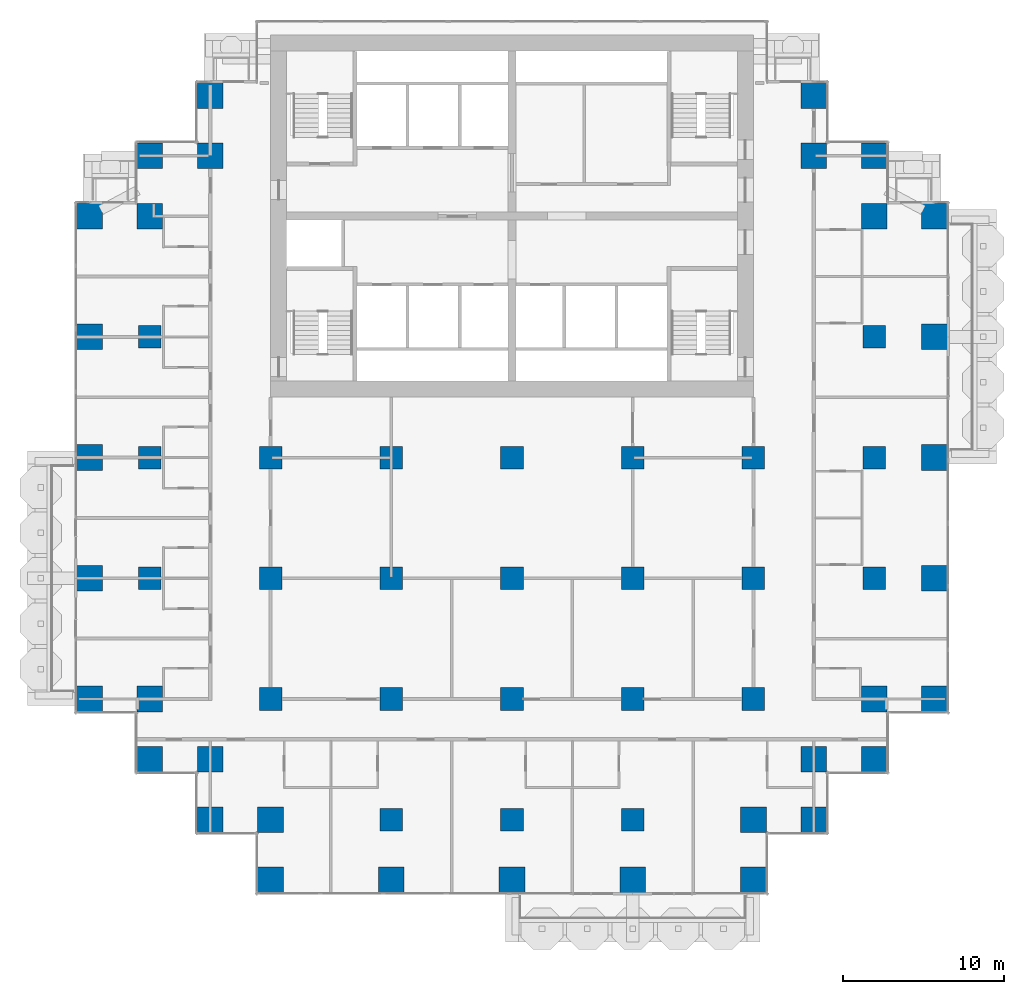
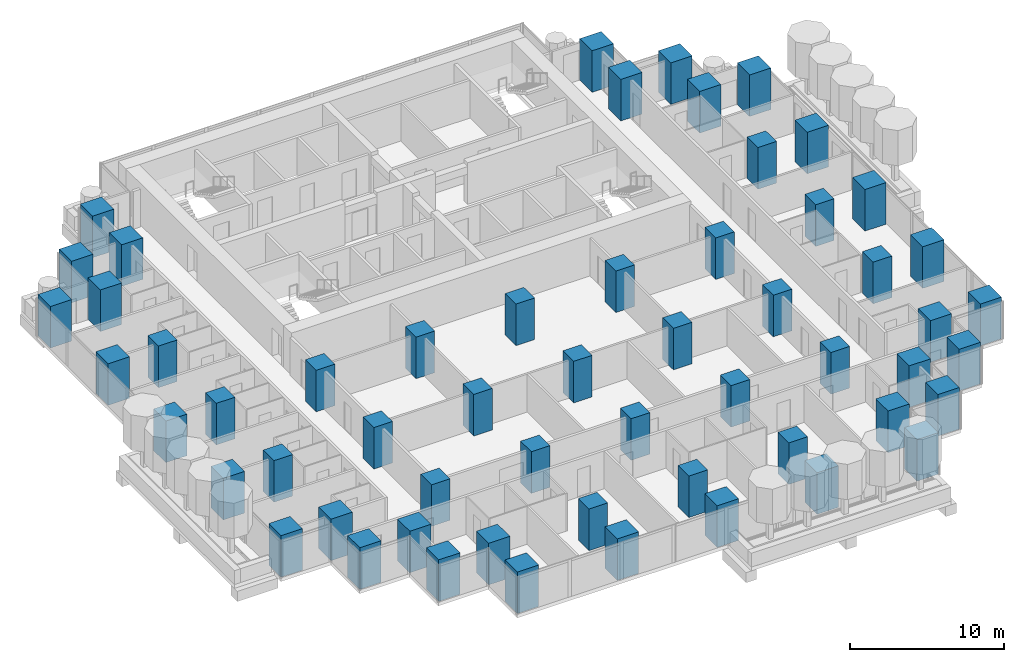
# One storey, part 1 of 18: 57 columns.
"""IFC4 building model written with IfcOpenShell, lengths in metres."""

import ifcopenshell
import ifcopenshell.guid

model = None  # the IFC model being written
_history = None  # IfcOwnerHistory: only IFC2X3 demands one
_inside = {}  # id of a spatial element -> (the spatial element, [elements in it])
_under = {}  # id of a project, library or spatial element -> (it, [spatial elements below it])
_declared = {}  # id of a project -> (the project, [libraries it declares])
_typed = {}  # id of a type object -> (the type object, [elements of that type])
_made_of = {}  # id of a material, layer set ... -> (it, [elements and type objects made of it])


def new_model(schema):
    """Start an empty IFC model of exactly this schema.

    Asked for "IFC4X3", IfcOpenShell would pick the latest addendum, in which some entities
    have other attributes; the version numbers below select the first issue.
    IFC2X3 requires an IfcOwnerHistory on every rooted entity: one is made here for all.
    """
    global model, _history
    if schema == "IFC4X3":
        model = ifcopenshell.file(schema_version=(4, 3, 0, 0))
    else:
        model = ifcopenshell.file(schema=schema)
    _inside.clear()
    _under.clear()
    _declared.clear()
    _typed.clear()
    _made_of.clear()
    _history = None
    if model.schema == "IFC2X3":
        org = make("IfcOrganization", Name="unknown")
        user = make(
            "IfcPersonAndOrganization",
            ThePerson=make("IfcPerson", FamilyName="unknown"),
            TheOrganization=org,
        )
        app = make(
            "IfcApplication",
            ApplicationDeveloper=org,
            Version="unknown",
            ApplicationFullName="unknown",
            ApplicationIdentifier="unknown",
        )
        _history = make(
            "IfcOwnerHistory",
            OwningUser=user,
            OwningApplication=app,
            ChangeAction="ADDED",
            CreationDate=0,
        )
    return model


def make(cls, **values):
    """One entity of the class cls with the attributes given. An attribute that is None is left unset."""
    return model.create_entity(
        cls, **{name: value for name, value in values.items() if value is not None}
    )


def rooted(cls, **values):
    """An entity with a GlobalId (a new one), such as an element, a storey or a relation."""
    return make(cls, GlobalId=ifcopenshell.guid.new(), OwnerHistory=_history, **values)


def si_unit(unit_type, name, prefix=None):
    """IfcSIUnit, for example si_unit("LENGTHUNIT", "METRE", prefix="MILLI")."""
    return make("IfcSIUnit", UnitType=unit_type, Prefix=prefix, Name=name)


def assignment(units):
    """IfcUnitAssignment: the units of a project."""
    return None if units is None else make("IfcUnitAssignment", Units=units)


def point(xyz):
    """IfcCartesianPoint."""
    return None if xyz is None else make("IfcCartesianPoint", Coordinates=xyz)


def direction(xyz):
    """IfcDirection."""
    return None if xyz is None else make("IfcDirection", DirectionRatios=xyz)


def frame(location, z_axis=None, x_axis=None):
    """IfcAxis2Placement3D, a coordinate frame: its origin and axes. An axis left out is left unset."""
    return make(
        "IfcAxis2Placement3D",
        Location=point(location),
        Axis=direction(z_axis),
        RefDirection=direction(x_axis),
    )


def frame_2d(location, x_axis=None):
    """IfcAxis2Placement2D, a coordinate frame in the plane: its origin and x axis."""
    return make(
        "IfcAxis2Placement2D", Location=point(location), RefDirection=direction(x_axis)
    )


def origin():
    """The frame at (0, 0, 0) with its axes left unset."""
    return frame((0.0, 0.0, 0.0))


def origin_2d():
    """The frame at (0, 0) in the plane with its x axis left unset."""
    return frame_2d((0.0, 0.0))


def place(relative_to, where):
    """IfcLocalPlacement: puts the frame where relative to a parent placement (None: the world)."""
    return make(
        "IfcLocalPlacement", PlacementRelTo=relative_to, RelativePlacement=where
    )


def context(
    kind, dimensions, precision=None, world=None, true_north=None, identifier=None
):
    """IfcGeometricRepresentationContext, for example the 3D "Model" context."""
    return make(
        "IfcGeometricRepresentationContext",
        ContextIdentifier=identifier,
        ContextType=kind,
        CoordinateSpaceDimension=dimensions,
        Precision=precision,
        WorldCoordinateSystem=world,
        TrueNorth=true_north,
    )


def subcontext(parent, identifier, kind, view, scale=None):
    """IfcGeometricRepresentationSubContext, for example "Body" below "Model"."""
    return make(
        "IfcGeometricRepresentationSubContext",
        ContextIdentifier=identifier,
        ContextType=kind,
        ParentContext=parent,
        TargetScale=scale,
        TargetView=view,
    )


def project(units=None, contexts=None):
    """IfcProject with its units and contexts."""
    return rooted(
        "IfcProject",
        Name="project",
        RepresentationContexts=contexts,
        UnitsInContext=assignment(units),
    )


def spatial(cls, under=None, at=None, **own):
    """A site, building, storey or space (cls), placed at a placement, below another one or the project."""
    s = rooted(cls, ObjectPlacement=at, **own)
    if under is not None:
        _under.setdefault(under.id(), (under, []))[1].append(s)
    return s


def profile(cls, at=None, kind="AREA", **sizes):
    """A parametric profile (cls). Its sizes go by their IFC names, for example OverallWidth=200.0."""
    return make(cls, ProfileType=kind, Position=at, **sizes)


def rectangle(**sizes):
    """IfcRectangleProfileDef."""
    return profile("IfcRectangleProfileDef", **sizes)


def extrude(swept, where, along, depth):
    """IfcExtrudedAreaSolid: the profile swept, set in the frame where, extruded along a direction by depth."""
    return make(
        "IfcExtrudedAreaSolid",
        SweptArea=swept,
        Position=where,
        ExtrudedDirection=direction(along),
        Depth=depth,
    )


def shape(context_of_items, identifier, shape_type, items):
    """IfcShapeRepresentation: the items that make up one representation, for example the "Body"."""
    return make(
        "IfcShapeRepresentation",
        ContextOfItems=context_of_items,
        RepresentationIdentifier=identifier,
        RepresentationType=shape_type,
        Items=items,
    )


def material(Name=None, Category=None):
    """IfcMaterial."""
    return make("IfcMaterial", Name=Name, Category=Category)


def material_profile(
    of_material, cross_section, Name=None, Category=None, Priority=None
):
    """IfcMaterialProfile: a cross section and its material."""
    return make(
        "IfcMaterialProfile",
        Name=Name,
        Material=of_material,
        Profile=cross_section,
        Priority=Priority,
        Category=Category,
    )


def profile_set(profiles, Name=None, composite=None):
    """IfcMaterialProfileSet."""
    return make(
        "IfcMaterialProfileSet",
        Name=Name,
        MaterialProfiles=profiles,
        CompositeProfile=composite,
    )


def made_of(thing, what):
    """Note that an element or type object is made of a material, layer set ...; save() writes the relation."""
    if what is not None:
        _made_of.setdefault(what.id(), (what, []))[1].append(thing)
    return thing


def type_object(cls, material=None, **own):
    """A type object (cls), such as IfcWallType, which elements share."""
    return made_of(rooted(cls, **own), material)


def element(
    cls,
    number,
    at=None,
    inside=None,
    cuts=None,
    type_object=None,
    material=None,
    context=None,
    identifier="Body",
    shape_type=None,
    held_by="IfcProductDefinitionShape",
    body=None,
    shapes=None,
    **own,
):
    """One element of the class cls, such as IfcWall. Its Tag is "e" and its number.

    at: its placement. inside: the storey or other place that contains it. cuts: it is an
    opening in that element (IfcRelVoidsElement). A single representation is given by context,
    identifier, shape_type and body (its items); several are given by shapes. held_by: the class
    of the entity that holds the representations. save() writes the other relations.
    """
    e = rooted(cls, Tag="e%d" % number, ObjectPlacement=at, **own)
    if body is not None:
        shapes = [shape(context, identifier, shape_type, body)]
    if shapes is not None:
        e.Representation = make(held_by, Representations=shapes)
    if inside is not None:
        _inside.setdefault(inside.id(), (inside, []))[1].append(e)
    if cuts is not None:
        rooted(
            "IfcRelVoidsElement", RelatingBuildingElement=cuts, RelatedOpeningElement=e
        )
    if type_object is not None:
        _typed.setdefault(type_object.id(), (type_object, []))[1].append(e)
    return made_of(e, material)


def aggregate(whole, parts):
    """IfcRelAggregates: a whole, such as a stair, and the parts it consists of."""
    return rooted("IfcRelAggregates", RelatingObject=whole, RelatedObjects=parts)


def save(model, path):
    """Write the relations noted so far, then the file.

    IfcRelAggregates (storeys below a building ...), IfcRelContainedInSpatialStructure (elements
    in a storey), IfcRelDefinesByType, IfcRelAssociatesMaterial and IfcRelDeclares: one each for
    every whole, place, type object, material and project.
    """
    for whole, parts in _under.values():
        aggregate(whole, parts)
    for where, things in _inside.values():
        rooted(
            "IfcRelContainedInSpatialStructure",
            RelatedElements=things,
            RelatingStructure=where,
        )
    for kind, things in _typed.values():
        rooted("IfcRelDefinesByType", RelatedObjects=things, RelatingType=kind)
    for what, things in _made_of.values():
        rooted("IfcRelAssociatesMaterial", RelatedObjects=things, RelatingMaterial=what)
    for by, libraries in _declared.values():
        rooted("IfcRelDeclares", RelatingContext=by, RelatedDefinitions=libraries)
    model.write(path)


model = new_model("IFC4")

# Units and contexts
model_context = context("Model", 3, precision=1e-05, world=origin(), true_north=direction((0.0, 1.0)))
body_context = subcontext(model_context, "Body", "Model", "MODEL_VIEW")
ifc_project = project(units=[si_unit("LENGTHUNIT", "METRE"), si_unit("AREAUNIT", "SQUARE_METRE"), si_unit("VOLUMEUNIT", "CUBIC_METRE"), si_unit("PLANEANGLEUNIT", "RADIAN"), si_unit("MASSUNIT", "GRAM", prefix="KILO")], contexts=[model_context])

# Site, building, storey
site_placement = place(None, origin())
site = spatial("IfcSite", under=ifc_project, at=site_placement, CompositionType="ELEMENT")
building_placement = place(site_placement, origin())
building = spatial("IfcBuilding", under=site, at=building_placement, Name="Pilkhan Gate Tower", CompositionType="ELEMENT")
storey_placement = place(building_placement, frame((0.0, 0.0, 52.699951171875)))
storey = spatial("IfcBuildingStorey", under=building, at=storey_placement, Name="L10", CompositionType="ELEMENT", Elevation=52.699951171875)

# Columns
ifc_material = material(Name="Concrete C70/85", Category="concrete")
ifc_material_profile_1 = material_profile(ifc_material, rectangle(XDim=1.39990234375, YDim=1.39990234375, at=origin_2d()), Name="RC 1400x1400")
ifc_profile_set_1 = profile_set([ifc_material_profile_1], Name="Concrete C70/85")
column_type_1 = type_object("IfcColumnType", Name="Column C140 RC 1400x1400 C70/85", PredefinedType="COLUMN", material=ifc_profile_set_1)
for number, where, z_axis, x_axis, name in (
    (1, (52.5, 60.0, 0.0), (0.0, 0.0, 1.0), (1.0, 0.0, 0.0), "Column 5/F L10"),
    (2, (52.5, 67.5, 0.0), (0.0, 0.0, 1.0), (1.0, 0.0, 0.0), "Column 5/H L10"),
    (3, (52.5, 75.0, 0.0), (0.0, 0.0, 1.0), (1.0, 0.0, 0.0), "Column 5/K L10"),
    (4, (60.0, 52.5, 0.0), (0.0, 0.0, 1.0), (1.0, 0.0, 0.0), "Column 7/D L10"),
    (5, (60.0, 60.0, 0.0), (0.0, 0.0, 1.0), (1.0, 0.0, 0.0), "Column 7/F L10"),
    (6, (60.0, 67.5, 0.0), (0.0, 0.0, 1.0), (1.0, 0.0, 0.0), "Column 7/H L10"),
    (7, (67.5, 45.0, 0.0), (0.0, 0.0, 1.0), (1.0, 0.0, 0.0), "Column 9/B L10"),
    (8, (67.5, 52.5, 0.0), (0.0, 0.0, 1.0), (1.0, 0.0, 0.0), "Column 9/D L10"),
    (9, (67.5, 60.0, 0.0), (0.0, 0.0, 1.0), (1.0, 0.0, 0.0), "Column 9/F L10"),
    (10, (67.5, 67.5, 0.0), (0.0, 0.0, 1.0), (1.0, 0.0, 0.0), "Column 9/H L10"),
    (11, (75.0, 45.0, 0.0), (0.0, 0.0, 1.0), (1.0, 0.0, 0.0), "Column 11/B L10"),
    (12, (75.0, 52.5, 0.0), (0.0, 0.0, 1.0), (1.0, 0.0, 0.0), "Column 11/D L10"),
    (13, (75.0, 60.0, 0.0), (0.0, 0.0, 1.0), (1.0, 0.0, 0.0), "Column 11/F L10"),
    (14, (75.0, 67.5, 0.0), (0.0, 0.0, 1.0), (1.0, 0.0, 0.0), "Column 11/H L10"),
    (15, (82.5, 45.0, 0.0), (0.0, 0.0, 1.0), (1.0, 0.0, 0.0), "Column 13/B L10"),
    (16, (82.5, 52.5, 0.0), (0.0, 0.0, 1.0), (1.0, 0.0, 0.0), "Column 13/D L10"),
    (17, (82.5, 60.0, 0.0), (0.0, 0.0, 1.0), (1.0, 0.0, 0.0), "Column 13/F L10"),
    (18, (82.5, 67.5, 0.0), (0.0, 0.0, 1.0), (1.0, 0.0, 0.0), "Column 13/H L10"),
    (19, (90.0, 52.5, 0.0), (0.0, 0.0, 1.0), (1.0, 0.0, 0.0), "Column 15/D L10"),
    (20, (90.0, 60.0, 0.0), (0.0, 0.0, 1.0), (1.0, 0.0, 0.0), "Column 15/F L10"),
    (21, (90.0, 67.5, 0.0), (0.0, 0.0, 1.0), (1.0, 0.0, 0.0), "Column 15/H L10"),
    (22, (97.5, 60.0, 0.0), (0.0, 0.0, 1.0), (1.0, 0.0, 0.0), "Column 17/F L10"),
    (23, (97.5, 67.5, 0.0), (0.0, 0.0, 1.0), (1.0, 0.0, 0.0), "Column 17/H L10"),
    (24, (97.5, 75.0, 0.0), (0.0, 0.0, 1.0), (1.0, 0.0, 0.0), "Column 17/K L10"),
):
    element("IfcColumn", number, at=place(storey_placement, frame(where, z_axis=z_axis, x_axis=x_axis)), inside=storey, type_object=column_type_1, Name=name, PredefinedType="COLUMN", context=body_context, shape_type="SweptSolid", body=[
        extrude(rectangle(XDim=1.39990234375, YDim=1.39990234375, at=origin_2d()), origin(), (0.0, 0.0, 1.0), 3.300048828125),
    ])
ifc_material_profile_2 = material_profile(ifc_material, rectangle(XDim=1.60009765625, YDim=1.60009765625, at=origin_2d()), Name="RC 1600x1600")
ifc_profile_set_2 = profile_set([ifc_material_profile_2], Name="Concrete C70/85")
column_type_2 = type_object("IfcColumnType", Name="Column C160 RC 1600x1600 C70/85", PredefinedType="COLUMN", material=ifc_profile_set_2)
for number, where, z_axis, x_axis, name in (
    (25, (48.75, 52.5, 0.0), (0.0, 0.0, 1.0), (1.0, 0.0, 0.0), "Column 4/D L10"),
    (26, (48.75, 60.0, 0.0), (0.0, 0.0, 1.0), (1.0, 0.0, 0.0), "Column 4/F L10"),
    (27, (48.75, 67.5, 0.0), (0.0, 0.0, 1.0), (1.0, 0.0, 0.0), "Column 4/H L10"),
    (28, (48.75, 75.0, 0.0), (0.0, 0.0, 1.0), (1.0, 0.0, 0.0), "Column 4/K L10"),
    (29, (48.75, 82.5, 0.0), (0.0, 0.0, 1.0), (1.0, 0.0, 0.0), "Column 4/M L10"),
    (30, (52.5, 48.75, 0.0), (0.0, 0.0, 1.0), (1.0, 0.0, 0.0), "Column 5/C L10"),
    (31, (52.5, 52.5, 0.0), (0.0, 0.0, 1.0), (1.0, 0.0, 0.0), "Column 5/D L10"),
    (32, (52.5, 82.5, 0.0), (0.0, 0.0, 1.0), (1.0, 0.0, 0.0), "Column 5/M L10"),
    (33, (52.5, 86.25, 0.0), (0.0, 0.0, 1.0), (1.0, 0.0, 0.0), "Column 5/N L10"),
    (34, (56.25, 45.0, 0.0), (0.0, 0.0, 1.0), (1.0, 0.0, 0.0), "Column 6/B L10"),
    (35, (56.25, 48.75, 0.0), (0.0, 0.0, 1.0), (1.0, 0.0, 0.0), "Column 6/C L10"),
    (36, (56.25, 86.25, 0.0), (0.0, 0.0, 1.0), (1.0, 0.0, 0.0), "Column 6/N L10"),
    (37, (56.25, 90.0, 0.0), (0.0, 0.0, 1.0), (1.0, 0.0, 0.0), "Column 6/P L10"),
    (38, (60.0, 41.25, 0.0), (0.0, 0.0, 1.0), (1.0, 0.0, 0.0), "Column 7/A L10"),
    (39, (60.0, 45.0, 0.0), (0.0, 0.0, 1.0), (1.0, 0.0, 0.0), "Column 7/B L10"),
    (40, (67.5, 41.25, 0.0), (0.0, 0.0, 1.0), (1.0, 0.0, 0.0), "Column 9/A L10"),
    (41, (75.0, 41.25, 0.0), (0.0, 0.0, 1.0), (1.0, 0.0, 0.0), "Column 11/A L10"),
    (42, (82.5, 41.25, 0.0), (0.0, 0.0, 1.0), (1.0, 0.0, 0.0), "Column 13/A L10"),
    (43, (90.0, 41.25, 0.0), (0.0, 0.0, 1.0), (1.0, 0.0, 0.0), "Column 15/A L10"),
    (44, (90.0, 45.0, 0.0), (0.0, 0.0, 1.0), (1.0, 0.0, 0.0), "Column 15/B L10"),
    (45, (93.75, 45.0, 0.0), (0.0, 0.0, 1.0), (1.0, 0.0, 0.0), "Column 16/B L10"),
    (46, (93.75, 48.75, 0.0), (0.0, 0.0, 1.0), (1.0, 0.0, 0.0), "Column 16/C L10"),
    (47, (93.75, 86.25, 0.0), (0.0, 0.0, 1.0), (1.0, 0.0, 0.0), "Column 16/N L10"),
    (48, (93.75, 90.0, 0.0), (0.0, 0.0, 1.0), (1.0, 0.0, 0.0), "Column 16/P L10"),
    (49, (97.5, 48.75, 0.0), (0.0, 0.0, 1.0), (1.0, 0.0, 0.0), "Column 17/C L10"),
    (50, (97.5, 52.5, 0.0), (0.0, 0.0, 1.0), (1.0, 0.0, 0.0), "Column 17/D L10"),
    (51, (97.5, 82.5, 0.0), (0.0, 0.0, 1.0), (1.0, 0.0, 0.0), "Column 17/M L10"),
    (52, (97.5, 86.25, 0.0), (0.0, 0.0, 1.0), (1.0, 0.0, 0.0), "Column 17/N L10"),
    (53, (101.25, 52.5, 0.0), (0.0, 0.0, 1.0), (1.0, 0.0, 0.0), "Column 18/D L10"),
    (54, (101.25, 60.0, 0.0), (0.0, 0.0, 1.0), (1.0, 0.0, 0.0), "Column 18/F L10"),
    (55, (101.25, 67.5, 0.0), (0.0, 0.0, 1.0), (1.0, 0.0, 0.0), "Column 18/H L10"),
    (56, (101.25, 75.0, 0.0), (0.0, 0.0, 1.0), (1.0, 0.0, 0.0), "Column 18/K L10"),
    (57, (101.25, 82.5, 0.0), (0.0, 0.0, 1.0), (1.0, 0.0, 0.0), "Column 18/M L10"),
):
    element("IfcColumn", number, at=place(storey_placement, frame(where, z_axis=z_axis, x_axis=x_axis)), inside=storey, type_object=column_type_2, Name=name, PredefinedType="COLUMN", context=body_context, shape_type="SweptSolid", body=[
        extrude(rectangle(XDim=1.60009765625, YDim=1.60009765625, at=origin_2d()), origin(), (0.0, 0.0, 1.0), 3.300048828125),
    ])

save(model, "model.ifc")
